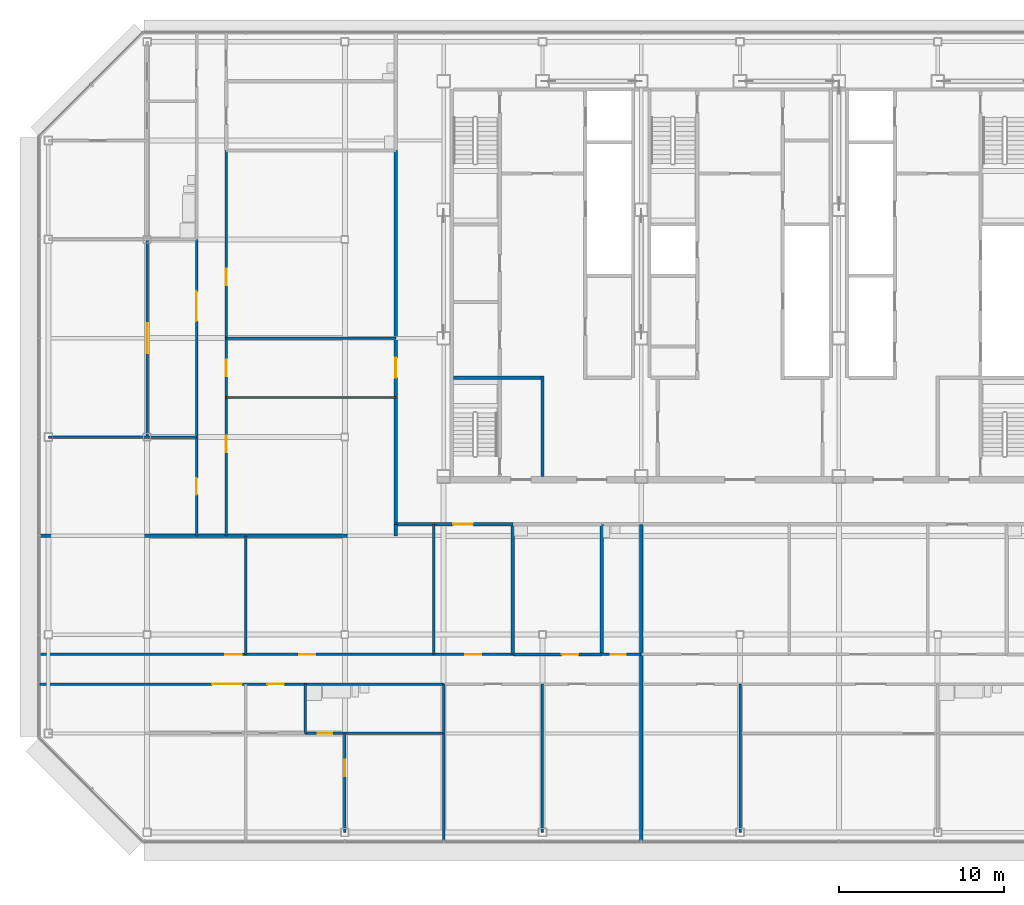
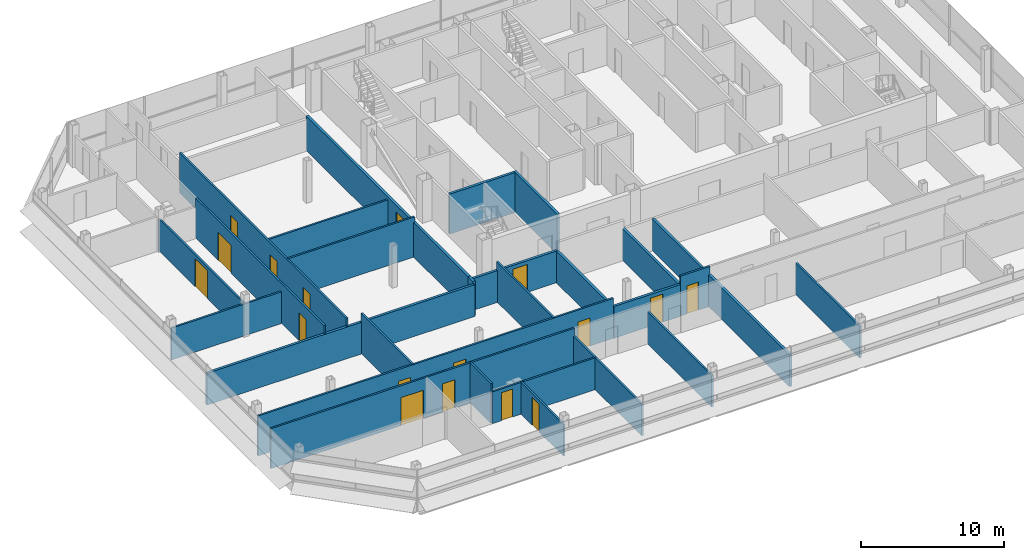
# One storey, part 21 of 27: 29 walls, 17 doors, 17 openings.
"""IFC4 building model written with IfcOpenShell, lengths in metres."""

from ifc_helpers import new_model, si_unit, direction, frame, frame_2d, origin, place, context, subcontext, project, spatial, rectangle, extrude, material, layer, layer_set, type_object, element, fill, save


model = new_model("IFC4")

# Units and contexts
model_context = context("Model", 3, precision=1e-05, world=origin(), true_north=direction((0.0, 1.0)))
body_context = subcontext(model_context, "Body", "Model", "MODEL_VIEW")
ifc_project = project(units=[si_unit("LENGTHUNIT", "METRE"), si_unit("AREAUNIT", "SQUARE_METRE"), si_unit("VOLUMEUNIT", "CUBIC_METRE"), si_unit("PLANEANGLEUNIT", "RADIAN"), si_unit("MASSUNIT", "GRAM", prefix="KILO")], contexts=[model_context])

# Site, building, storey
site_placement = place(None, origin())
site = spatial("IfcSite", under=ifc_project, at=site_placement, CompositionType="ELEMENT")
building_placement = place(site_placement, origin())
building = spatial("IfcBuilding", under=site, at=building_placement, Name="Sorahane Residences", CompositionType="ELEMENT")
storey_placement = place(building_placement, frame((0.0, 0.0, 312.39990234375)))
storey = spatial("IfcBuildingStorey", under=building, at=storey_placement, Name="L74", CompositionType="ELEMENT", Elevation=312.39990234375)

# Wall, opening, door
ifc_material_1 = material(Name="Concrete blockwork C20 wall", Category="masonry")
ifc_layer_1 = layer(ifc_material_1, 0.199951171875)
ifc_layer_set_1 = layer_set([ifc_layer_1], Name="Corridor wall 200 EI 120")
wall_type_1 = type_object("IfcWallType", Name="Corridor wall 200 EI 120", PredefinedType="SOLIDWALL", material=ifc_layer_set_1)
wall_1_placement = place(storey_placement, frame((3.10009765625, 18.699951171875, 0.0), z_axis=(0.0, 0.0, 1.0), x_axis=(0.0, 1.0, 0.0)))
wall_1 = element("IfcWall", 1, at=wall_1_placement, inside=storey, type_object=wall_type_1, Name="L74 corridor wall", PredefinedType="SOLIDWALL", context=body_context, shape_type="SweptSolid", body=[
    extrude(rectangle(XDim=22.699951171875, YDim=0.199951171875, at=frame_2d((11.35009765625, 0.0))), origin(), (0.0, 0.0, 1.0), 2.97021484375),
])
opening_1_placement = place(wall_1_placement, frame((8.89990234375, 0.0, 0.0)))
opening_1 = element("IfcOpeningElement", 2, at=opening_1_placement, cuts=wall_1, Name="Opening L74-40", PredefinedType="OPENING", context=body_context, shape_type="SweptSolid", body=[
    extrude(rectangle(XDim=1.199951171875, YDim=2.39990234375, at=frame_2d((0.60009765625, 1.199951171875))), frame((0.0, 0.10986328125, 0.0), z_axis=(0.0, -1.0, 0.0), x_axis=(1.0, 0.0, 0.0)), (0.0, 0.0, 1.0), 0.219970703125),
])
ifc_material_2 = material(Name="Timber veneered fire door", Category="wood")
door_type_1 = type_object("IfcDoorType", Name="Flat entrance door 1200x2400 FD60", OperationType="NOTDEFINED", PredefinedType="DOOR", material=ifc_material_2)
door_1_placement = place(opening_1_placement, origin())
door_1 = element("IfcDoor", 3, at=door_1_placement, inside=storey, type_object=door_type_1, Name="Flat entrance door L74-40", OperationType="SINGLE_SWING_RIGHT", OverallHeight=2.39990234375, OverallWidth=1.199951171875, PredefinedType="DOOR", context=body_context, shape_type="SweptSolid", body=[
    extrude(rectangle(XDim=1.199951171875, YDim=2.39990234375, at=frame_2d((0.60009765625, 1.199951171875))), frame((0.0, 0.02490234375, 0.0), z_axis=(0.0, -1.0, 0.0), x_axis=(1.0, 0.0, 0.0)), (0.0, 0.0, 1.0), 0.050048828125),
])
fill(opening_1, door_1)

wall_2_placement = place(storey_placement, frame((3.10009765625, 18.699951171875, 0.0), z_axis=(0.0, 0.0, 1.0), x_axis=(1.0, 0.0, 0.0)))
wall_2 = element("IfcWall", 4, at=wall_2_placement, inside=storey, type_object=wall_type_1, Name="L74 corridor wall", PredefinedType="SOLIDWALL", context=body_context, shape_type="SweptSolid", body=[
    extrude(rectangle(XDim=7.099853515625, YDim=0.199951171875, at=frame_2d((3.5498046875, 0.0))), origin(), (0.0, 0.0, 1.0), 2.72021484375),
])
opening_2_placement = place(wall_2_placement, frame((3.47998046875, 0.0, 0.0)))
opening_2 = element("IfcOpeningElement", 5, at=opening_2_placement, cuts=wall_2, Name="Opening L74-38", PredefinedType="OPENING", context=body_context, shape_type="SweptSolid", body=[
    extrude(rectangle(XDim=1.199951171875, YDim=2.39990234375, at=frame_2d((0.60009765625, 1.199951171875))), frame((0.0, 0.10986328125, 0.0), z_axis=(0.0, -1.0, 0.0), x_axis=(1.0, 0.0, 0.0)), (0.0, 0.0, 1.0), 0.219970703125),
])
door_2_placement = place(opening_2_placement, frame((1.199951171875, 0.0, 0.0), z_axis=(0.0, 0.0, 1.0), x_axis=(-1.0, 0.0, 0.0)))
door_2 = element("IfcDoor", 6, at=door_2_placement, inside=storey, type_object=door_type_1, Name="Flat entrance door L74-38", OperationType="SINGLE_SWING_RIGHT", OverallHeight=2.39990234375, OverallWidth=1.199951171875, PredefinedType="DOOR", context=body_context, shape_type="SweptSolid", body=[
    extrude(rectangle(XDim=1.199951171875, YDim=2.39990234375, at=frame_2d((0.60009765625, 1.199951171875))), frame((0.0, 0.02490234375, 0.0), z_axis=(0.0, -1.0, 0.0), x_axis=(1.0, 0.0, 0.0)), (0.0, 0.0, 1.0), 0.050048828125),
])
fill(opening_2, door_2)

# Walls
ifc_material_3 = material(Name="Concrete C30", Category="concrete")
ifc_layer_2 = layer(ifc_material_3, 0.199951171875)
ifc_layer_set_2 = layer_set([ifc_layer_2], Name="Front room wall 200 EI 120")
wall_type_2 = type_object("IfcWallType", Name="Front room wall 200 EI 120", PredefinedType="PARTITIONING", material=ifc_layer_set_2)
wall_3_placement = place(storey_placement, frame((12.0, 21.60009765625, 0.0), z_axis=(0.0, 0.0, 1.0), x_axis=(0.0, 1.0, 0.0)))
element("IfcWall", 7, at=wall_3_placement, inside=storey, type_object=wall_type_2, Name="L74 front room wall", PredefinedType="PARTITIONING", context=body_context, shape_type="SweptSolid", body=[
    extrude(rectangle(XDim=6.099853515625, YDim=0.199951171875, at=frame_2d((3.0498046875, 0.0))), origin(), (0.0, 0.0, 1.0), 3.420166015625),
])
ifc_material_4 = material(Name="Concrete blockwork C20 wall", Category="masonry")
ifc_layer_3 = layer(ifc_material_4, 0.199951171875)
ifc_layer_set_3 = layer_set([ifc_layer_3], Name="Kitchen wall 200 EI 180")
wall_type_3 = type_object("IfcWallType", Name="Kitchen wall 200 EI 180", PredefinedType="SOLIDWALL", material=ifc_layer_set_3)
for number, where, z_axis, x_axis, name in (
    (8, (10.199951171875, 10.800048828125, 0.0), (0.0, 0.0, 1.0), (0.0, 1.0, 0.0), "L74 kitchen wall"),
    (9, (15.60009765625, 10.800048828125, 0.0), (0.0, 0.0, 1.0), (0.0, 1.0, 0.0), "L74 kitchen wall"),
):
    element("IfcWall", number, at=place(storey_placement, frame(where, z_axis=z_axis, x_axis=x_axis)), inside=storey, type_object=wall_type_3, Name=name, PredefinedType="SOLIDWALL", context=body_context, shape_type="SweptSolid", body=[
        extrude(rectangle(XDim=7.89990234375, YDim=0.199951171875, at=frame_2d((3.949951171875, 0.0))), origin(), (0.0, 0.0, 1.0), 2.72021484375),
    ])

# Wall, opening, door
wall_4_placement = place(storey_placement, frame((10.199951171875, 10.800048828125, 0.0), z_axis=(0.0, 0.0, 1.0), x_axis=(1.0, 0.0, 0.0)))
wall_4 = element("IfcWall", 10, at=wall_4_placement, inside=storey, type_object=wall_type_3, Name="L74 kitchen wall", PredefinedType="SOLIDWALL", context=body_context, shape_type="SweptSolid", body=[
    extrude(rectangle(XDim=5.400146484375, YDim=0.199951171875, at=frame_2d((2.7001953125, 0.0))), origin(), (0.0, 0.0, 1.0), 2.72021484375),
])
opening_3_placement = place(wall_4_placement, frame((2.97998046875, 0.0, 0.0)))
opening_3 = element("IfcOpeningElement", 11, at=opening_3_placement, cuts=wall_4, Name="Opening L74-04", PredefinedType="OPENING", context=body_context, shape_type="SweptSolid", body=[
    extrude(rectangle(XDim=1.0, YDim=2.39990234375, at=frame_2d((0.5, 1.199951171875))), frame((0.0, 0.10986328125, 0.0), z_axis=(0.0, -1.0, 0.0), x_axis=(1.0, 0.0, 0.0)), (0.0, 0.0, 1.0), 0.219970703125),
])
ifc_material_5 = material(Name="Steel", Category="steel")
door_type_2 = type_object("IfcDoorType", Name="Kitchen door 1000x2400 FD120", OperationType="NOTDEFINED", PredefinedType="DOOR", material=ifc_material_5)
door_3_placement = place(opening_3_placement, origin())
door_3 = element("IfcDoor", 12, at=door_3_placement, inside=storey, type_object=door_type_2, Name="Kitchen door L74-04", OperationType="SINGLE_SWING_RIGHT", OverallHeight=2.39990234375, OverallWidth=1.0, PredefinedType="DOOR", context=body_context, shape_type="SweptSolid", body=[
    extrude(rectangle(XDim=1.0, YDim=2.39990234375, at=frame_2d((0.5, 1.199951171875))), frame((0.0, 0.02490234375, 0.0), z_axis=(0.0, -1.0, 0.0), x_axis=(1.0, 0.0, 0.0)), (0.0, 0.0, 1.0), 0.050048828125),
])
fill(opening_3, door_3)

ifc_material_6 = material(Name="Gypsum board partition on steel studs", Category="steel")
ifc_layer_4 = layer(ifc_material_6, 0.14990234375)
ifc_layer_set_4 = layer_set([ifc_layer_4], Name="Partition 150 EI 90")
wall_type_4 = type_object("IfcWallType", Name="Partition 150 EI 90", PredefinedType="PARTITIONING", material=ifc_layer_set_4)
wall_5_placement = place(storey_placement, frame((-12.0, 24.0, 0.0), z_axis=(0.0, 0.0, 1.0), x_axis=(0.0, 1.0, 0.0)))
wall_5 = element("IfcWall", 13, at=wall_5_placement, inside=storey, type_object=wall_type_4, Name="L74 partition", PredefinedType="PARTITIONING", context=body_context, shape_type="SweptSolid", body=[
    extrude(rectangle(XDim=12.0, YDim=0.14990234375, at=frame_2d((6.0, 0.0))), origin(), (0.0, 0.0, 1.0), 2.72021484375),
])
opening_4_placement = place(wall_5_placement, frame((5.10009765625, 0.0, 0.0)))
opening_4 = element("IfcOpeningElement", 14, at=opening_4_placement, cuts=wall_5, Name="Opening L74-34", PredefinedType="OPENING", context=body_context, shape_type="SweptSolid", body=[
    extrude(rectangle(XDim=1.800048828125, YDim=2.39990234375, at=frame_2d((0.89990234375, 1.199951171875))), frame((0.0, 0.0849609375, 0.0), z_axis=(0.0, -1.0, 0.0), x_axis=(1.0, 0.0, 0.0)), (0.0, 0.0, 1.0), 0.169921875),
])
ifc_material_7 = material(Name="Timber veneered fire door", Category="wood")
door_type_3 = type_object("IfcDoorType", Name="Double door 1800x2400 FD30", OperationType="NOTDEFINED", PredefinedType="DOOR", material=ifc_material_7)
door_4_placement = place(opening_4_placement, origin())
door_4 = element("IfcDoor", 15, at=door_4_placement, inside=storey, type_object=door_type_3, Name="Double door L74-34", OperationType="SINGLE_SWING_RIGHT", OverallHeight=2.39990234375, OverallWidth=1.800048828125, PredefinedType="DOOR", context=body_context, shape_type="SweptSolid", body=[
    extrude(rectangle(XDim=1.800048828125, YDim=2.39990234375, at=frame_2d((0.89990234375, 1.199951171875))), frame((0.0, 0.02490234375, 0.0), z_axis=(0.0, -1.0, 0.0), x_axis=(1.0, 0.0, 0.0)), (0.0, 0.0, 1.0), 0.050048828125),
])
fill(opening_4, door_4)

# Wall
wall_6_placement = place(storey_placement, frame((-6.0, 10.800048828125, 0.0), z_axis=(0.0, 0.0, 1.0), x_axis=(0.0, 1.0, 0.0)))
element("IfcWall", 16, at=wall_6_placement, inside=storey, type_object=wall_type_4, Name="L74 partition", PredefinedType="PARTITIONING", context=body_context, shape_type="SweptSolid", body=[
    extrude(rectangle(XDim=7.199951171875, YDim=0.14990234375, at=frame_2d((3.60009765625, 0.0))), origin(), (0.0, 0.0, 1.0), 3.420166015625),
])

# Wall, openings, doors
wall_7_placement = place(storey_placement, frame((-7.199951171875, 18.0, 0.0), z_axis=(0.0, 0.0, 1.0), x_axis=(0.0, 1.0, 0.0)))
wall_7 = element("IfcWall", 17, at=wall_7_placement, inside=storey, type_object=wall_type_4, Name="L74 partition", PredefinedType="PARTITIONING", context=body_context, shape_type="SweptSolid", body=[
    extrude(rectangle(XDim=23.39990234375, YDim=0.14990234375, at=frame_2d((11.699951171875, 0.0))), origin(), (0.0, 0.0, 1.0), 3.420166015625),
])
opening_5_placement = place(wall_7_placement, frame((9.699951171875, 0.0, 0.0)))
opening_5 = element("IfcOpeningElement", 18, at=opening_5_placement, cuts=wall_7, Name="Opening L74-26", PredefinedType="OPENING", context=body_context, shape_type="SweptSolid", body=[
    extrude(rectangle(XDim=1.0, YDim=2.39990234375, at=frame_2d((0.5, 1.199951171875))), frame((0.0, 0.0849609375, 0.0), z_axis=(0.0, -1.0, 0.0), x_axis=(1.0, 0.0, 0.0)), (0.0, 0.0, 1.0), 0.169921875),
])
opening_6_placement = place(wall_7_placement, frame((5.080078125, 0.0, 0.0)))
opening_6 = element("IfcOpeningElement", 19, at=opening_6_placement, cuts=wall_7, Name="Opening L74-27", PredefinedType="OPENING", context=body_context, shape_type="SweptSolid", body=[
    extrude(rectangle(XDim=1.0, YDim=2.39990234375, at=frame_2d((0.5, 1.199951171875))), frame((0.0, 0.0849609375, 0.0), z_axis=(0.0, -1.0, 0.0), x_axis=(1.0, 0.0, 0.0)), (0.0, 0.0, 1.0), 0.169921875),
])
opening_7_placement = place(wall_7_placement, frame((15.219970703125, 0.0, 0.0)))
opening_7 = element("IfcOpeningElement", 20, at=opening_7_placement, cuts=wall_7, Name="Opening L74-28", PredefinedType="OPENING", context=body_context, shape_type="SweptSolid", body=[
    extrude(rectangle(XDim=1.0, YDim=2.39990234375, at=frame_2d((0.5, 1.199951171875))), frame((0.0, 0.0849609375, 0.0), z_axis=(0.0, -1.0, 0.0), x_axis=(1.0, 0.0, 0.0)), (0.0, 0.0, 1.0), 0.169921875),
])
ifc_material_8 = material(Name="Timber veneered fire door", Category="wood")
door_type_4 = type_object("IfcDoorType", Name="Room door 1000x2400 FD30", OperationType="NOTDEFINED", PredefinedType="DOOR", material=ifc_material_8)
door_5_placement = place(opening_5_placement, origin())
door_5 = element("IfcDoor", 21, at=door_5_placement, inside=storey, type_object=door_type_4, Name="Room door L74-26", OperationType="SINGLE_SWING_RIGHT", OverallHeight=2.39990234375, OverallWidth=1.0, PredefinedType="DOOR", context=body_context, shape_type="SweptSolid", body=[
    extrude(rectangle(XDim=1.0, YDim=2.39990234375, at=frame_2d((0.5, 1.199951171875))), frame((0.0, 0.02490234375, 0.0), z_axis=(0.0, -1.0, 0.0), x_axis=(1.0, 0.0, 0.0)), (0.0, 0.0, 1.0), 0.050048828125),
])
fill(opening_5, door_5)
door_6_placement = place(opening_6_placement, frame((1.0, 0.0, 0.0), z_axis=(0.0, 0.0, 1.0), x_axis=(-1.0, 0.0, 0.0)))
door_6 = element("IfcDoor", 22, at=door_6_placement, inside=storey, type_object=door_type_4, Name="Room door L74-27", OperationType="SINGLE_SWING_RIGHT", OverallHeight=2.39990234375, OverallWidth=1.0, PredefinedType="DOOR", context=body_context, shape_type="SweptSolid", body=[
    extrude(rectangle(XDim=1.0, YDim=2.39990234375, at=frame_2d((0.5, 1.199951171875))), frame((0.0, 0.02490234375, 0.0), z_axis=(0.0, -1.0, 0.0), x_axis=(1.0, 0.0, 0.0)), (0.0, 0.0, 1.0), 0.050048828125),
])
fill(opening_6, door_6)
door_7_placement = place(opening_7_placement, frame((1.0, 0.0, 0.0), z_axis=(0.0, 0.0, 1.0), x_axis=(-1.0, 0.0, 0.0)))
door_7 = element("IfcDoor", 23, at=door_7_placement, inside=storey, type_object=door_type_4, Name="Room door L74-28", OperationType="SINGLE_SWING_LEFT", OverallHeight=2.39990234375, OverallWidth=1.0, PredefinedType="DOOR", context=body_context, shape_type="SweptSolid", body=[
    extrude(rectangle(XDim=1.0, YDim=2.39990234375, at=frame_2d((0.5, 1.199951171875))), frame((0.0, 0.02490234375, 0.0), z_axis=(0.0, -1.0, 0.0), x_axis=(1.0, 0.0, 0.0)), (0.0, 0.0, 1.0), 0.050048828125),
])
fill(opening_7, door_7)

wall_8_placement = place(storey_placement, frame((-9.0, 18.0, 0.0), z_axis=(0.0, 0.0, 1.0), x_axis=(0.0, 1.0, 0.0)))
wall_8 = element("IfcWall", 24, at=wall_8_placement, inside=storey, type_object=wall_type_4, Name="L74 partition", PredefinedType="PARTITIONING", context=body_context, shape_type="SweptSolid", body=[
    extrude(rectangle(XDim=18.0, YDim=0.14990234375, at=frame_2d((9.0, 0.0))), origin(), (0.0, 0.0, 1.0), 3.420166015625),
])
opening_8_placement = place(wall_8_placement, frame((2.5, 0.0, 0.0)))
opening_8 = element("IfcOpeningElement", 25, at=opening_8_placement, cuts=wall_8, Name="Opening L74-31", PredefinedType="OPENING", context=body_context, shape_type="SweptSolid", body=[
    extrude(rectangle(XDim=1.0, YDim=2.39990234375, at=frame_2d((0.5, 1.199951171875))), frame((0.0, 0.0849609375, 0.0), z_axis=(0.0, -1.0, 0.0), x_axis=(1.0, 0.0, 0.0)), (0.0, 0.0, 1.0), 0.169921875),
])
opening_9_placement = place(wall_8_placement, frame((13.0400390625, 0.0, 0.0)))
opening_9 = element("IfcOpeningElement", 26, at=opening_9_placement, cuts=wall_8, Name="Opening L74-32", PredefinedType="OPENING", context=body_context, shape_type="SweptSolid", body=[
    extrude(rectangle(XDim=1.800048828125, YDim=2.39990234375, at=frame_2d((0.89990234375, 1.199951171875))), frame((0.0, 0.0849609375, 0.0), z_axis=(0.0, -1.0, 0.0), x_axis=(1.0, 0.0, 0.0)), (0.0, 0.0, 1.0), 0.169921875),
])
door_8_placement = place(opening_9_placement, origin())
door_8 = element("IfcDoor", 27, at=door_8_placement, inside=storey, type_object=door_type_3, Name="Double door L74-32", OperationType="SINGLE_SWING_RIGHT", OverallHeight=2.39990234375, OverallWidth=1.800048828125, PredefinedType="DOOR", context=body_context, shape_type="SweptSolid", body=[
    extrude(rectangle(XDim=1.800048828125, YDim=2.39990234375, at=frame_2d((0.89990234375, 1.199951171875))), frame((0.0, 0.02490234375, 0.0), z_axis=(0.0, -1.0, 0.0), x_axis=(1.0, 0.0, 0.0)), (0.0, 0.0, 1.0), 0.050048828125),
])
fill(opening_9, door_8)
door_9_placement = place(opening_8_placement, origin())
door_9 = element("IfcDoor", 28, at=door_9_placement, inside=storey, type_object=door_type_4, Name="Room door L74-31", OperationType="SINGLE_SWING_LEFT", OverallHeight=2.39990234375, OverallWidth=1.0, PredefinedType="DOOR", context=body_context, shape_type="SweptSolid", body=[
    extrude(rectangle(XDim=1.0, YDim=2.39990234375, at=frame_2d((0.5, 1.199951171875))), frame((0.0, 0.02490234375, 0.0), z_axis=(0.0, -1.0, 0.0), x_axis=(1.0, 0.0, 0.0)), (0.0, 0.0, 1.0), 0.050048828125),
])
fill(opening_8, door_9)

# Wall, opening, door
wall_9_placement = place(storey_placement, frame((0.0, 0.0, 0.0), z_axis=(0.0, 0.0, 1.0), x_axis=(0.0, 1.0, 0.0)))
wall_9 = element("IfcWall", 29, at=wall_9_placement, inside=storey, type_object=wall_type_4, Name="L74 partition", PredefinedType="PARTITIONING", context=body_context, shape_type="SweptSolid", body=[
    extrude(rectangle(XDim=6.0, YDim=0.14990234375, at=frame_2d((3.0, 0.0))), origin(), (0.0, 0.0, 1.0), 2.72021484375),
])
opening_10_placement = place(wall_9_placement, frame((3.39990234375, 0.0, 0.0)))
opening_10 = element("IfcOpeningElement", 30, at=opening_10_placement, cuts=wall_9, Name="Opening L74-12", PredefinedType="OPENING", context=body_context, shape_type="SweptSolid", body=[
    extrude(rectangle(XDim=1.0, YDim=2.39990234375, at=frame_2d((0.5, 1.199951171875))), frame((0.0, 0.0849609375, 0.0), z_axis=(0.0, -1.0, 0.0), x_axis=(1.0, 0.0, 0.0)), (0.0, 0.0, 1.0), 0.169921875),
])
door_10_placement = place(opening_10_placement, frame((1.0, 0.0, 0.0), z_axis=(0.0, 0.0, 1.0), x_axis=(-1.0, 0.0, 0.0)))
door_10 = element("IfcDoor", 31, at=door_10_placement, inside=storey, type_object=door_type_4, Name="Room door L74-12", OperationType="SINGLE_SWING_LEFT", OverallHeight=2.39990234375, OverallWidth=1.0, PredefinedType="DOOR", context=body_context, shape_type="SweptSolid", body=[
    extrude(rectangle(XDim=1.0, YDim=2.39990234375, at=frame_2d((0.5, 1.199951171875))), frame((0.0, 0.02490234375, 0.0), z_axis=(0.0, -1.0, 0.0), x_axis=(1.0, 0.0, 0.0)), (0.0, 0.0, 1.0), 0.050048828125),
])
fill(opening_10, door_10)

# Walls
for number, where, z_axis, x_axis, name in (
    (32, (12.0, 0.0, 0.0), (0.0, 0.0, 1.0), (0.0, 1.0, 0.0), "L74 partition"),
    (33, (24.0, 0.0, 0.0), (0.0, 0.0, 1.0), (0.0, 1.0, 0.0), "L74 partition"),
):
    element("IfcWall", number, at=place(storey_placement, frame(where, z_axis=z_axis, x_axis=x_axis)), inside=storey, type_object=wall_type_4, Name=name, PredefinedType="PARTITIONING", context=body_context, shape_type="SweptSolid", body=[
        extrude(rectangle(XDim=9.0, YDim=0.14990234375, at=frame_2d((4.5, 0.0))), origin(), (0.0, 0.0, 1.0), 2.72021484375),
    ])
wall_10_placement = place(storey_placement, frame((5.39990234375, 10.800048828125, 0.0), z_axis=(0.0, 0.0, 1.0), x_axis=(0.0, 1.0, 0.0)))
element("IfcWall", 34, at=wall_10_placement, inside=storey, type_object=wall_type_4, Name="L74 partition", PredefinedType="PARTITIONING", context=body_context, shape_type="SweptSolid", body=[
    extrude(rectangle(XDim=7.89990234375, YDim=0.14990234375, at=frame_2d((3.949951171875, 0.0))), origin(), (0.0, 0.0, 1.0), 3.420166015625),
])
wall_11_placement = place(storey_placement, frame((6.0, -0.60009765625, 0.0), z_axis=(0.0, 0.0, 1.0), x_axis=(0.0, 1.0, 0.0)))
element("IfcWall", 35, at=wall_11_placement, inside=storey, type_object=wall_type_4, Name="L74 partition", PredefinedType="PARTITIONING", context=body_context, shape_type="SweptSolid", body=[
    extrude(rectangle(XDim=6.60009765625, YDim=0.14990234375, at=frame_2d((3.300048828125, 0.0))), origin(), (0.0, 0.0, 1.0), 2.72021484375),
])

# Wall, openings, doors
wall_12_placement = place(storey_placement, frame((-18.60009765625, 10.800048828125, 0.0), z_axis=(0.0, 0.0, 1.0), x_axis=(1.0, 0.0, 0.0)))
wall_12 = element("IfcWall", 36, at=wall_12_placement, inside=storey, type_object=wall_type_4, Name="L74 partition", PredefinedType="PARTITIONING", context=body_context, shape_type="SweptSolid", body=[
    extrude(rectangle(XDim=28.800048828125, YDim=0.14990234375, at=frame_2d((14.39990234375, 0.0))), origin(), (0.0, 0.0, 1.0), 3.420166015625),
])
opening_11_placement = place(wall_12_placement, frame((25.89990234375, 0.0, 0.0)))
opening_11 = element("IfcOpeningElement", 37, at=opening_11_placement, cuts=wall_12, Name="Opening L74-01", PredefinedType="OPENING", context=body_context, shape_type="SweptSolid", body=[
    extrude(rectangle(XDim=1.0, YDim=2.39990234375, at=frame_2d((0.5, 1.199951171875))), frame((0.0, 0.0849609375, 0.0), z_axis=(0.0, -1.0, 0.0), x_axis=(1.0, 0.0, 0.0)), (0.0, 0.0, 1.0), 0.169921875),
])
opening_12_placement = place(wall_12_placement, frame((11.35009765625, 0.0, 0.0)))
opening_12 = element("IfcOpeningElement", 38, at=opening_12_placement, cuts=wall_12, Name="Opening L74-02", PredefinedType="OPENING", context=body_context, shape_type="SweptSolid", body=[
    extrude(rectangle(XDim=1.0, YDim=2.39990234375, at=frame_2d((0.5, 1.199951171875))), frame((0.0, 0.0849609375, 0.0), z_axis=(0.0, -1.0, 0.0), x_axis=(1.0, 0.0, 0.0)), (0.0, 0.0, 1.0), 0.169921875),
])
opening_13_placement = place(wall_12_placement, frame((15.820068359375, 0.0, 0.0)))
opening_13 = element("IfcOpeningElement", 39, at=opening_13_placement, cuts=wall_12, Name="Opening L74-03", PredefinedType="OPENING", context=body_context, shape_type="SweptSolid", body=[
    extrude(rectangle(XDim=1.0, YDim=2.39990234375, at=frame_2d((0.5, 1.199951171875))), frame((0.0, 0.0849609375, 0.0), z_axis=(0.0, -1.0, 0.0), x_axis=(1.0, 0.0, 0.0)), (0.0, 0.0, 1.0), 0.169921875),
])
door_11_placement = place(opening_11_placement, frame((1.0, 0.0, 0.0), z_axis=(0.0, 0.0, 1.0), x_axis=(-1.0, 0.0, 0.0)))
door_11 = element("IfcDoor", 40, at=door_11_placement, inside=storey, type_object=door_type_4, Name="Room door L74-01", OperationType="SINGLE_SWING_RIGHT", OverallHeight=2.39990234375, OverallWidth=1.0, PredefinedType="DOOR", context=body_context, shape_type="SweptSolid", body=[
    extrude(rectangle(XDim=1.0, YDim=2.39990234375, at=frame_2d((0.5, 1.199951171875))), frame((0.0, 0.02490234375, 0.0), z_axis=(0.0, -1.0, 0.0), x_axis=(1.0, 0.0, 0.0)), (0.0, 0.0, 1.0), 0.050048828125),
])
fill(opening_11, door_11)
door_12_placement = place(opening_12_placement, origin())
door_12 = element("IfcDoor", 41, at=door_12_placement, inside=storey, type_object=door_type_4, Name="Room door L74-02", OperationType="SINGLE_SWING_RIGHT", OverallHeight=2.39990234375, OverallWidth=1.0, PredefinedType="DOOR", context=body_context, shape_type="SweptSolid", body=[
    extrude(rectangle(XDim=1.0, YDim=2.39990234375, at=frame_2d((0.5, 1.199951171875))), frame((0.0, 0.02490234375, 0.0), z_axis=(0.0, -1.0, 0.0), x_axis=(1.0, 0.0, 0.0)), (0.0, 0.0, 1.0), 0.050048828125),
])
fill(opening_12, door_12)
door_13_placement = place(opening_13_placement, origin())
door_13 = element("IfcDoor", 42, at=door_13_placement, inside=storey, type_object=door_type_4, Name="Room door L74-03", OperationType="SINGLE_SWING_RIGHT", OverallHeight=2.39990234375, OverallWidth=1.0, PredefinedType="DOOR", context=body_context, shape_type="SweptSolid", body=[
    extrude(rectangle(XDim=1.0, YDim=2.39990234375, at=frame_2d((0.5, 1.199951171875))), frame((0.0, 0.02490234375, 0.0), z_axis=(0.0, -1.0, 0.0), x_axis=(1.0, 0.0, 0.0)), (0.0, 0.0, 1.0), 0.050048828125),
])
fill(opening_13, door_13)

# Walls
wall_13_placement = place(storey_placement, frame((-18.0, 24.0, 0.0), z_axis=(0.0, 0.0, 1.0), x_axis=(1.0, 0.0, 0.0)))
element("IfcWall", 43, at=wall_13_placement, inside=storey, type_object=wall_type_4, Name="L74 partition", PredefinedType="PARTITIONING", context=body_context, shape_type="SweptSolid", body=[
    extrude(rectangle(XDim=9.0, YDim=0.14990234375, at=frame_2d((4.5, 0.0))), origin(), (0.0, 0.0, 1.0), 2.72021484375),
])
wall_14_placement = place(storey_placement, frame((-7.199951171875, 26.39990234375, 0.0), z_axis=(0.0, 0.0, 1.0), x_axis=(1.0, 0.0, 0.0)))
element("IfcWall", 44, at=wall_14_placement, inside=storey, type_object=wall_type_4, Name="L74 partition", PredefinedType="PARTITIONING", context=body_context, shape_type="SweptSolid", body=[
    extrude(rectangle(XDim=10.300048828125, YDim=0.14990234375, at=frame_2d((5.14990234375, 0.0))), origin(), (0.0, 0.0, 1.0), 3.420166015625),
])
wall_15_placement = place(storey_placement, frame((-7.199951171875, 30.0, 0.0), z_axis=(0.0, 0.0, 1.0), x_axis=(1.0, 0.0, 0.0)))
element("IfcWall", 45, at=wall_15_placement, inside=storey, type_object=wall_type_4, Name="L74 partition", PredefinedType="PARTITIONING", context=body_context, shape_type="SweptSolid", body=[
    extrude(rectangle(XDim=10.300048828125, YDim=0.14990234375, at=frame_2d((5.14990234375, 0.0))), origin(), (0.0, 0.0, 1.0), 2.72021484375),
])

# Wall, openings, doors
wall_16_placement = place(storey_placement, frame((-18.60009765625, 9.0, 0.0), z_axis=(0.0, 0.0, 1.0), x_axis=(1.0, 0.0, 0.0)))
wall_16 = element("IfcWall", 46, at=wall_16_placement, inside=storey, type_object=wall_type_4, Name="L74 partition", PredefinedType="PARTITIONING", context=body_context, shape_type="SweptSolid", body=[
    extrude(rectangle(XDim=16.2001953125, YDim=0.14990234375, at=frame_2d((8.10009765625, 0.0))), origin(), (0.0, 0.0, 1.0), 3.420166015625),
])
opening_14_placement = place(wall_16_placement, frame((10.550048828125, 0.0, 0.0)))
opening_14 = element("IfcOpeningElement", 47, at=opening_14_placement, cuts=wall_16, Name="Opening L74-06", PredefinedType="OPENING", context=body_context, shape_type="SweptSolid", body=[
    extrude(rectangle(XDim=1.800048828125, YDim=2.39990234375, at=frame_2d((0.89990234375, 1.199951171875))), frame((0.0, 0.0849609375, 0.0), z_axis=(0.0, -1.0, 0.0), x_axis=(1.0, 0.0, 0.0)), (0.0, 0.0, 1.0), 0.169921875),
])
opening_15_placement = place(wall_16_placement, frame((13.89990234375, 0.0, 0.0)))
opening_15 = element("IfcOpeningElement", 48, at=opening_15_placement, cuts=wall_16, Name="Opening L74-07", PredefinedType="OPENING", context=body_context, shape_type="SweptSolid", body=[
    extrude(rectangle(XDim=1.0, YDim=2.39990234375, at=frame_2d((0.5, 1.199951171875))), frame((0.0, 0.0849609375, 0.0), z_axis=(0.0, -1.0, 0.0), x_axis=(1.0, 0.0, 0.0)), (0.0, 0.0, 1.0), 0.169921875),
])
door_14_placement = place(opening_14_placement, frame((1.800048828125, 0.0, 0.0), z_axis=(0.0, 0.0, 1.0), x_axis=(-1.0, 0.0, 0.0)))
door_14 = element("IfcDoor", 49, at=door_14_placement, inside=storey, type_object=door_type_3, Name="Double door L74-06", OperationType="SINGLE_SWING_RIGHT", OverallHeight=2.39990234375, OverallWidth=1.800048828125, PredefinedType="DOOR", context=body_context, shape_type="SweptSolid", body=[
    extrude(rectangle(XDim=1.800048828125, YDim=2.39990234375, at=frame_2d((0.89990234375, 1.199951171875))), frame((0.0, 0.02490234375, 0.0), z_axis=(0.0, -1.0, 0.0), x_axis=(1.0, 0.0, 0.0)), (0.0, 0.0, 1.0), 0.050048828125),
])
fill(opening_14, door_14)
door_15_placement = place(opening_15_placement, frame((1.0, 0.0, 0.0), z_axis=(0.0, 0.0, 1.0), x_axis=(-1.0, 0.0, 0.0)))
door_15 = element("IfcDoor", 50, at=door_15_placement, inside=storey, type_object=door_type_4, Name="Room door L74-07", OperationType="SINGLE_SWING_RIGHT", OverallHeight=2.39990234375, OverallWidth=1.0, PredefinedType="DOOR", context=body_context, shape_type="SweptSolid", body=[
    extrude(rectangle(XDim=1.0, YDim=2.39990234375, at=frame_2d((0.5, 1.199951171875))), frame((0.0, 0.02490234375, 0.0), z_axis=(0.0, -1.0, 0.0), x_axis=(1.0, 0.0, 0.0)), (0.0, 0.0, 1.0), 0.050048828125),
])
fill(opening_15, door_15)

# Walls
ifc_material_9 = material(Name="Concrete blockwork C20 wall", Category="masonry")
ifc_layer_5 = layer(ifc_material_9, 0.199951171875)
ifc_layer_set_5 = layer_set([ifc_layer_5], Name="Party wall 200 EI 120")
wall_type_5 = type_object("IfcWallType", Name="Party wall 200 EI 120", PredefinedType="SOLIDWALL", material=ifc_layer_set_5)
wall_17_placement = place(storey_placement, frame((18.0, -0.60009765625, 0.0), z_axis=(0.0, 0.0, 1.0), x_axis=(0.0, 1.0, 0.0)))
element("IfcWall", 51, at=wall_17_placement, inside=storey, type_object=wall_type_5, Name="L74 party wall", PredefinedType="SOLIDWALL", context=body_context, shape_type="SweptSolid", body=[
    extrude(rectangle(XDim=19.300048828125, YDim=0.199951171875, at=frame_2d((9.64990234375, 0.0))), origin(), (0.0, 0.0, 1.0), 2.72021484375),
])
wall_18_placement = place(storey_placement, frame((3.10009765625, 18.0, 0.0), z_axis=(0.0, 0.0, 1.0), x_axis=(0.0, 1.0, 0.0)))
element("IfcWall", 52, at=wall_18_placement, inside=storey, type_object=wall_type_5, Name="L74 party wall", PredefinedType="SOLIDWALL", context=body_context, shape_type="SweptSolid", body=[
    extrude(rectangle(XDim=0.699951171875, YDim=0.199951171875, at=frame_2d((0.35009765625, 0.0))), origin(), (0.0, 0.0, 1.0), 2.97021484375),
])
wall_19_placement = place(storey_placement, frame((-18.60009765625, 18.0, 0.0), z_axis=(0.0, 0.0, 1.0), x_axis=(1.0, 0.0, 0.0)))
element("IfcWall", 53, at=wall_19_placement, inside=storey, type_object=wall_type_5, Name="L74 party wall", PredefinedType="SOLIDWALL", context=body_context, shape_type="SweptSolid", body=[
    extrude(rectangle(XDim=21.7001953125, YDim=0.199951171875, at=frame_2d((10.85009765625, 0.0))), origin(), (0.0, 0.0, 1.0), 2.72021484375),
])
ifc_material_10 = material(Name="Concrete C30", Category="concrete")
ifc_layer_6 = layer(ifc_material_10, 0.199951171875)
ifc_layer_set_6 = layer_set([ifc_layer_6], Name="Stair enclosure wall 200 EI 120")
wall_type_6 = type_object("IfcWallType", Name="Stair enclosure wall 200 EI 120", PredefinedType="SOLIDWALL", material=ifc_layer_set_6)
wall_20_placement = place(storey_placement, frame((6.60009765625, 27.60009765625, 0.0), z_axis=(0.0, 0.0, 1.0), x_axis=(1.0, 0.0, 0.0)))
element("IfcWall", 54, at=wall_20_placement, inside=storey, type_object=wall_type_6, Name="L74 stair enclosure wall", PredefinedType="SOLIDWALL", context=body_context, shape_type="SweptSolid", body=[
    extrude(rectangle(XDim=5.2998046875, YDim=0.199951171875, at=frame_2d((2.64990234375, 0.0))), origin(), (0.0, 0.0, 1.0), 3.420166015625),
])
ifc_material_11 = material(Name="Gypsum board partition on steel studs", Category="steel")
ifc_layer_7 = layer(ifc_material_11, 0.14990234375)
ifc_layer_set_7 = layer_set([ifc_layer_7], Name="Wet wall 150 EI 90")
wall_type_7 = type_object("IfcWallType", Name="Wet wall 150 EI 90", PredefinedType="PARTITIONING", material=ifc_layer_set_7)
wall_21_placement = place(storey_placement, frame((-2.39990234375, 6.0, 0.0), z_axis=(0.0, 0.0, 1.0), x_axis=(0.0, 1.0, 0.0)))
element("IfcWall", 55, at=wall_21_placement, inside=storey, type_object=wall_type_7, Name="L74 wet wall", PredefinedType="PARTITIONING", context=body_context, shape_type="SweptSolid", body=[
    extrude(rectangle(XDim=3.0, YDim=0.14990234375, at=frame_2d((1.5, 0.0))), origin(), (0.0, 0.0, 1.0), 3.420166015625),
])
wall_22_placement = place(storey_placement, frame((6.0, 6.0, 0.0), z_axis=(0.0, 0.0, 1.0), x_axis=(0.0, 1.0, 0.0)))
element("IfcWall", 56, at=wall_22_placement, inside=storey, type_object=wall_type_7, Name="L74 wet wall", PredefinedType="PARTITIONING", context=body_context, shape_type="SweptSolid", body=[
    extrude(rectangle(XDim=3.0, YDim=0.14990234375, at=frame_2d((1.5, 0.0))), origin(), (0.0, 0.0, 1.0), 2.72021484375),
])

# Wall, opening, door
wall_23_placement = place(storey_placement, frame((15.60009765625, 10.800048828125, 0.0), z_axis=(0.0, 0.0, 1.0), x_axis=(1.0, 0.0, 0.0)))
wall_23 = element("IfcWall", 57, at=wall_23_placement, inside=storey, type_object=wall_type_7, Name="L74 wet wall", PredefinedType="PARTITIONING", context=body_context, shape_type="SweptSolid", body=[
    extrude(rectangle(XDim=2.39990234375, YDim=0.14990234375, at=frame_2d((1.199951171875, 0.0))), origin(), (0.0, 0.0, 1.0), 3.420166015625),
])
opening_16_placement = place(wall_23_placement, frame((0.550048828125, 0.0, 0.0)))
opening_16 = element("IfcOpeningElement", 58, at=opening_16_placement, cuts=wall_23, Name="Opening L74-05", PredefinedType="OPENING", context=body_context, shape_type="SweptSolid", body=[
    extrude(rectangle(XDim=0.89990234375, YDim=2.39990234375, at=frame_2d((0.449951171875, 1.199951171875))), frame((0.0, 0.0849609375, 0.0), z_axis=(0.0, -1.0, 0.0), x_axis=(1.0, 0.0, 0.0)), (0.0, 0.0, 1.0), 0.169921875),
])
ifc_material_12 = material(Name="Timber veneered fire door", Category="wood")
door_type_5 = type_object("IfcDoorType", Name="Bathroom door 900x2400 FD30", OperationType="NOTDEFINED", PredefinedType="DOOR", material=ifc_material_12)
door_16_placement = place(opening_16_placement, frame((0.89990234375, 0.0, 0.0), z_axis=(0.0, 0.0, 1.0), x_axis=(-1.0, 0.0, 0.0)))
door_16 = element("IfcDoor", 59, at=door_16_placement, inside=storey, type_object=door_type_5, Name="Bathroom door L74-05", OperationType="SINGLE_SWING_RIGHT", OverallHeight=2.39990234375, OverallWidth=0.89990234375, PredefinedType="DOOR", context=body_context, shape_type="SweptSolid", body=[
    extrude(rectangle(XDim=0.89990234375, YDim=2.39990234375, at=frame_2d((0.449951171875, 1.199951171875))), frame((0.0, 0.02490234375, 0.0), z_axis=(0.0, -1.0, 0.0), x_axis=(1.0, 0.0, 0.0)), (0.0, 0.0, 1.0), 0.050048828125),
])
fill(opening_16, door_16)

wall_24_placement = place(storey_placement, frame((-2.39990234375, 6.0, 0.0), z_axis=(0.0, 0.0, 1.0), x_axis=(1.0, 0.0, 0.0)))
wall_24 = element("IfcWall", 60, at=wall_24_placement, inside=storey, type_object=wall_type_7, Name="L74 wet wall", PredefinedType="PARTITIONING", context=body_context, shape_type="SweptSolid", body=[
    extrude(rectangle(XDim=8.39990234375, YDim=0.14990234375, at=frame_2d((4.199951171875, 0.0))), origin(), (0.0, 0.0, 1.0), 2.72021484375),
])
opening_17_placement = place(wall_24_placement, frame((0.75, 0.0, 0.0)))
opening_17 = element("IfcOpeningElement", 61, at=opening_17_placement, cuts=wall_24, Name="Opening L74-13", PredefinedType="OPENING", context=body_context, shape_type="SweptSolid", body=[
    extrude(rectangle(XDim=0.89990234375, YDim=2.39990234375, at=frame_2d((0.449951171875, 1.199951171875))), frame((0.0, 0.0849609375, 0.0), z_axis=(0.0, -1.0, 0.0), x_axis=(1.0, 0.0, 0.0)), (0.0, 0.0, 1.0), 0.169921875),
])
door_17_placement = place(opening_17_placement, frame((0.89990234375, 0.0, 0.0), z_axis=(0.0, 0.0, 1.0), x_axis=(-1.0, 0.0, 0.0)))
door_17 = element("IfcDoor", 62, at=door_17_placement, inside=storey, type_object=door_type_5, Name="Bathroom door L74-13", OperationType="SINGLE_SWING_RIGHT", OverallHeight=2.39990234375, OverallWidth=0.89990234375, PredefinedType="DOOR", context=body_context, shape_type="SweptSolid", body=[
    extrude(rectangle(XDim=0.89990234375, YDim=2.39990234375, at=frame_2d((0.449951171875, 1.199951171875))), frame((0.0, 0.02490234375, 0.0), z_axis=(0.0, -1.0, 0.0), x_axis=(1.0, 0.0, 0.0)), (0.0, 0.0, 1.0), 0.050048828125),
])
fill(opening_17, door_17)

# Wall
wall_25_placement = place(storey_placement, frame((-2.39990234375, 9.0, 0.0), z_axis=(0.0, 0.0, 1.0), x_axis=(1.0, 0.0, 0.0)))
element("IfcWall", 63, at=wall_25_placement, inside=storey, type_object=wall_type_7, Name="L74 wet wall", PredefinedType="PARTITIONING", context=body_context, shape_type="SweptSolid", body=[
    extrude(rectangle(XDim=8.39990234375, YDim=0.14990234375, at=frame_2d((4.199951171875, 0.0))), origin(), (0.0, 0.0, 1.0), 3.420166015625),
])

save(model, "model.ifc")
